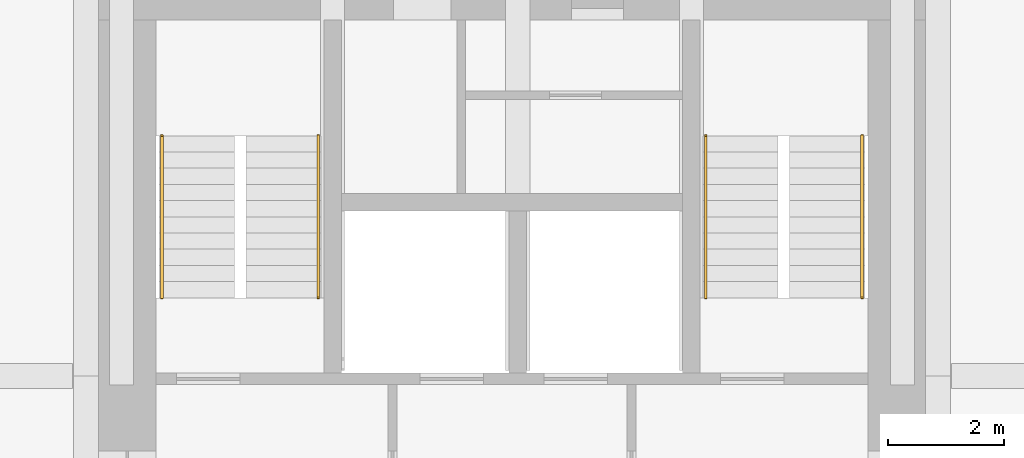
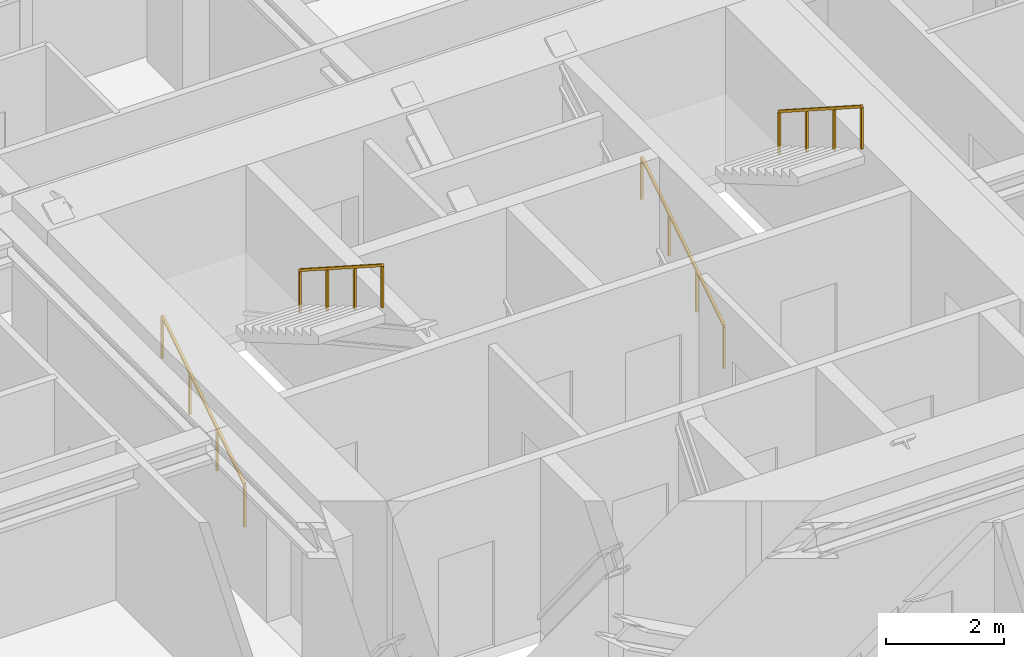
# One storey, part 10 of 10: 4 railings.
"""IFC4 building model written with IfcOpenShell, lengths in metres."""

from ifc_helpers import new_model, si_unit, direction, frame, origin, origin_2d, place, context, subcontext, project, spatial, rectangle, extrude, material, type_object, element, save


model = new_model("IFC4")

# Units and contexts
model_context = context("Model", 3, precision=1e-05, world=origin(), true_north=direction((0.0, 1.0)))
body_context = subcontext(model_context, "Body", "Model", "MODEL_VIEW")
ifc_project = project(units=[si_unit("LENGTHUNIT", "METRE"), si_unit("AREAUNIT", "SQUARE_METRE"), si_unit("VOLUMEUNIT", "CUBIC_METRE"), si_unit("PLANEANGLEUNIT", "RADIAN"), si_unit("MASSUNIT", "GRAM", prefix="KILO")], contexts=[model_context])

# Site, building, storey
site_placement = place(None, origin())
site = spatial("IfcSite", under=ifc_project, at=site_placement, CompositionType="ELEMENT")
building_placement = place(site_placement, origin())
building = spatial("IfcBuilding", under=site, at=building_placement, Name="Nyansa Garden Tower", CompositionType="ELEMENT")
storey_placement = place(building_placement, frame((0.0, 0.0, 196.199951171875)))
storey = spatial("IfcBuildingStorey", under=building, at=storey_placement, Name="L53", CompositionType="ELEMENT", Elevation=196.199951171875)

# Railings
ifc_material = material(Name="Black powder-coated steel tube 48 mm", Category="steel")
railing_type = type_object("IfcRailingType", Name="Stair handrail HR1", PredefinedType="HANDRAIL", material=ifc_material)
railing_1_placement = place(storey_placement, frame((14.199951171875, 21.60009765625, 0.0)))
element("IfcRailing", 1, at=railing_1_placement, inside=storey, type_object=railing_type, Name="Stair S1 handrail L53", PredefinedType="HANDRAIL", context=body_context, shape_type="SweptSolid", body=[
    extrude(rectangle(XDim=0.048095703125, YDim=0.048095703125, at=origin_2d()), frame((0.0, 0.0, 0.8759765625), z_axis=(0.0, 0.841154643086, 0.54079466197), x_axis=(-1.0, 0.0, 0.0)), (0.0, 0.0, 1.0), 3.32861328125),
    extrude(rectangle(XDim=0.0419921875, YDim=0.0419921875, at=origin_2d()), origin(), (0.0, 0.0, 1.0), 0.851806640625),
    extrude(rectangle(XDim=0.0419921875, YDim=0.0419921875, at=origin_2d()), frame((0.0, 0.933349609375, 0.60009765625)), (0.0, 0.0, 1.0), 0.851806640625),
    extrude(rectangle(XDim=0.0419921875, YDim=0.0419921875, at=origin_2d()), frame((0.0, 1.866455078125, 1.199951171875)), (0.0, 0.0, 1.0), 0.851806640625),
    extrude(rectangle(XDim=0.0419921875, YDim=0.0419921875, at=origin_2d()), frame((0.0, 2.7998046875, 1.800048828125)), (0.0, 0.0, 1.0), 0.851806640625),
])
railing_2_placement = place(storey_placement, frame((16.89990234375, 24.39990234375, 1.800048828125)))
element("IfcRailing", 2, at=railing_2_placement, inside=storey, type_object=railing_type, Name="Stair S1 handrail L53", PredefinedType="HANDRAIL", context=body_context, shape_type="SweptSolid", body=[
    extrude(rectangle(XDim=0.048095703125, YDim=0.048095703125, at=origin_2d()), frame((0.0, 0.0, 0.8759765625), z_axis=(0.0, -0.841154643086, 0.54079466197), x_axis=(1.0, 0.0, 0.0)), (0.0, 0.0, 1.0), 3.32861328125),
    extrude(rectangle(XDim=0.0419921875, YDim=0.0419921875, at=origin_2d()), origin(), (0.0, 0.0, 1.0), 0.851806640625),
    extrude(rectangle(XDim=0.0419921875, YDim=0.0419921875, at=origin_2d()), frame((0.0, -0.933349609375, 0.60009765625)), (0.0, 0.0, 1.0), 0.851806640625),
    extrude(rectangle(XDim=0.0419921875, YDim=0.0419921875, at=origin_2d()), frame((0.0, -1.866455078125, 1.199951171875)), (0.0, 0.0, 1.0), 0.851806640625),
    extrude(rectangle(XDim=0.0419921875, YDim=0.0419921875, at=origin_2d()), frame((0.0, -2.7998046875, 1.800048828125)), (0.0, 0.0, 1.0), 0.851806640625),
])
railing_3_placement = place(storey_placement, frame((23.60009765625, 21.60009765625, 0.0)))
element("IfcRailing", 3, at=railing_3_placement, inside=storey, type_object=railing_type, Name="Stair S2 handrail L53", PredefinedType="HANDRAIL", context=body_context, shape_type="SweptSolid", body=[
    extrude(rectangle(XDim=0.048095703125, YDim=0.048095703125, at=origin_2d()), frame((0.0, 0.0, 0.8759765625), z_axis=(0.0, 0.841154643086, 0.54079466197), x_axis=(-1.0, 0.0, 0.0)), (0.0, 0.0, 1.0), 3.32861328125),
    extrude(rectangle(XDim=0.0419921875, YDim=0.0419921875, at=origin_2d()), origin(), (0.0, 0.0, 1.0), 0.851806640625),
    extrude(rectangle(XDim=0.0419921875, YDim=0.0419921875, at=origin_2d()), frame((0.0, 0.933349609375, 0.60009765625)), (0.0, 0.0, 1.0), 0.851806640625),
    extrude(rectangle(XDim=0.0419921875, YDim=0.0419921875, at=origin_2d()), frame((0.0, 1.866455078125, 1.199951171875)), (0.0, 0.0, 1.0), 0.851806640625),
    extrude(rectangle(XDim=0.0419921875, YDim=0.0419921875, at=origin_2d()), frame((0.0, 2.7998046875, 1.800048828125)), (0.0, 0.0, 1.0), 0.851806640625),
])
railing_4_placement = place(storey_placement, frame((26.300048828125, 24.39990234375, 1.800048828125)))
element("IfcRailing", 4, at=railing_4_placement, inside=storey, type_object=railing_type, Name="Stair S2 handrail L53", PredefinedType="HANDRAIL", context=body_context, shape_type="SweptSolid", body=[
    extrude(rectangle(XDim=0.048095703125, YDim=0.048095703125, at=origin_2d()), frame((0.0, 0.0, 0.8759765625), z_axis=(0.0, -0.841154643086, 0.54079466197), x_axis=(1.0, 0.0, 0.0)), (0.0, 0.0, 1.0), 3.32861328125),
    extrude(rectangle(XDim=0.0419921875, YDim=0.0419921875, at=origin_2d()), origin(), (0.0, 0.0, 1.0), 0.851806640625),
    extrude(rectangle(XDim=0.0419921875, YDim=0.0419921875, at=origin_2d()), frame((0.0, -0.933349609375, 0.60009765625)), (0.0, 0.0, 1.0), 0.851806640625),
    extrude(rectangle(XDim=0.0419921875, YDim=0.0419921875, at=origin_2d()), frame((0.0, -1.866455078125, 1.199951171875)), (0.0, 0.0, 1.0), 0.851806640625),
    extrude(rectangle(XDim=0.0419921875, YDim=0.0419921875, at=origin_2d()), frame((0.0, -2.7998046875, 1.800048828125)), (0.0, 0.0, 1.0), 0.851806640625),
])

save(model, "model.ifc")
